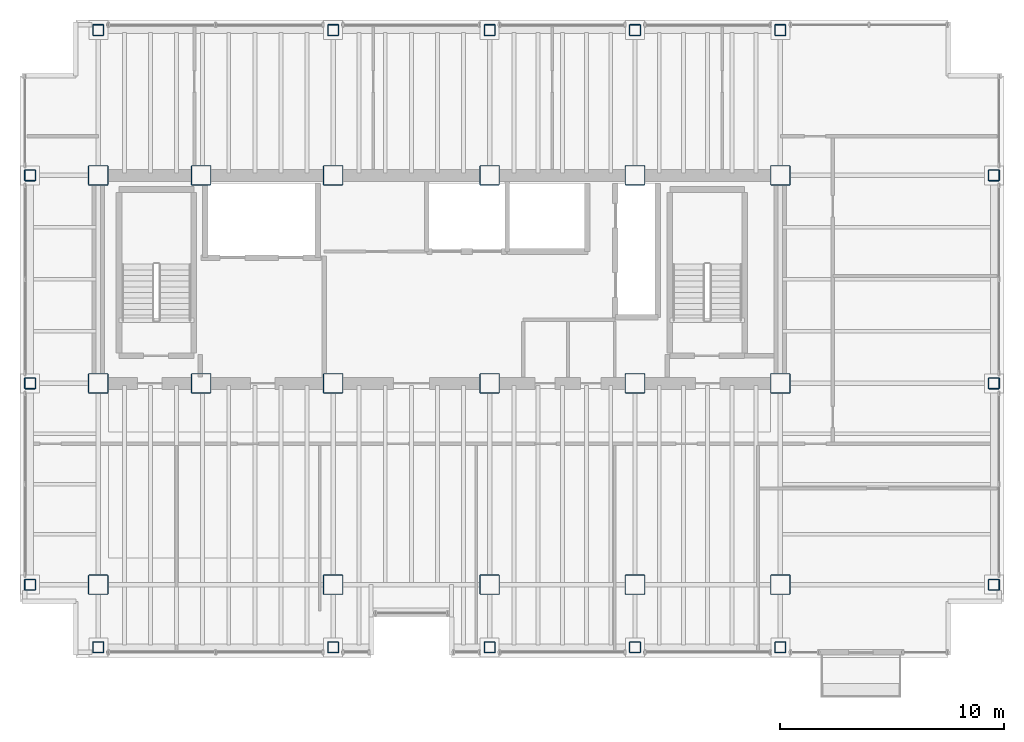
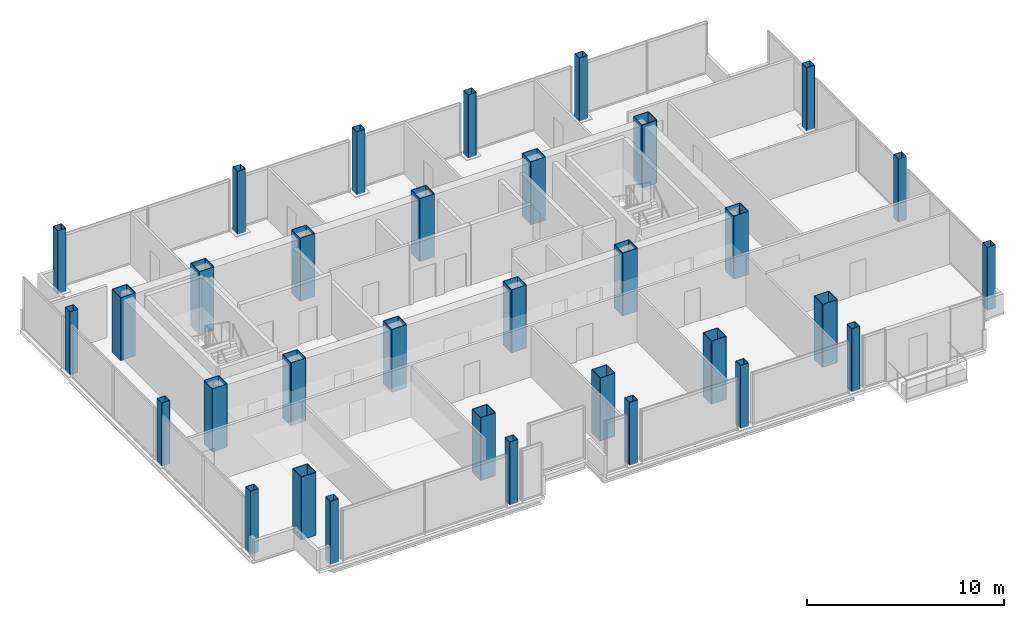
# One storey, part 1 of 16: 33 columns.
"""IFC4 building model written with IfcOpenShell, lengths in metres."""

from ifc_helpers import new_model, si_unit, direction, frame, origin, origin_2d, place, context, subcontext, project, spatial, hollow_rectangle, extrude, material, material_profile, profile_set, type_object, element, save


model = new_model("IFC4")

# Units and contexts
model_context = context("Model", 3, precision=1e-05, world=origin(), true_north=direction((0.0, 1.0)))
body_context = subcontext(model_context, "Body", "Model", "MODEL_VIEW")
ifc_project = project(units=[si_unit("LENGTHUNIT", "METRE"), si_unit("AREAUNIT", "SQUARE_METRE"), si_unit("VOLUMEUNIT", "CUBIC_METRE"), si_unit("PLANEANGLEUNIT", "RADIAN"), si_unit("MASSUNIT", "GRAM", prefix="KILO")], contexts=[model_context])

# Site, building, storey
site_placement = place(None, origin())
site = spatial("IfcSite", under=ifc_project, at=site_placement, CompositionType="ELEMENT")
building_placement = place(site_placement, origin())
building = spatial("IfcBuilding", under=site, at=building_placement, Name="Noeulbin Bourse Tower", CompositionType="ELEMENT")
storey_placement = place(building_placement, frame((0.0, 0.0, 177.300048828125)))
storey = spatial("IfcBuildingStorey", under=building, at=storey_placement, Name="L44", CompositionType="ELEMENT", Elevation=177.300048828125)

# Columns
ifc_material_1 = material(Name="Steel S355", Category="steel")
ifc_material_profile_1 = material_profile(ifc_material_1, hollow_rectangle(XDim=0.5, YDim=0.5, WallThickness=0.02392578125, InnerFilletRadius=0.011962890625, OuterFilletRadius=0.035888671875, at=origin_2d()), Name="BOX-500x500x24", Category="LoadBearing")
ifc_profile_set_1 = profile_set([ifc_material_profile_1], Name="Steel S355")
column_type_1 = type_object("IfcColumnType", Name="COL-PER-Z2", PredefinedType="COLUMN", material=ifc_profile_set_1)
for number, where, z_axis, x_axis, name in (
    (1, (10.449951171875, 20.0, 0.0), (0.0, 0.0, 1.0), (1.0, 0.0, 0.0), "Tower Perimeter Column COL-PER-Z2 01"),
    (2, (10.449951171875, 29.0, 0.0), (0.0, 0.0, 1.0), (1.0, 0.0, 0.0), "Tower Perimeter Column COL-PER-Z2 02"),
    (3, (10.449951171875, 38.300048828125, 0.0), (0.0, 0.0, 1.0), (1.0, 0.0, 0.0), "Tower Perimeter Column COL-PER-Z2 03"),
    (4, (13.5, 17.199951171875, 0.0), (0.0, 0.0, 1.0), (1.0, 0.0, 0.0), "Tower Perimeter Column COL-PER-Z2 04"),
    (5, (13.5, 44.800048828125, 0.0), (0.0, 0.0, 1.0), (1.0, 0.0, 0.0), "Tower Perimeter Column COL-PER-Z2 05"),
    (6, (24.0, 17.199951171875, 0.0), (0.0, 0.0, 1.0), (1.0, 0.0, 0.0), "Tower Perimeter Column COL-PER-Z2 06"),
    (7, (24.0, 44.800048828125, 0.0), (0.0, 0.0, 1.0), (1.0, 0.0, 0.0), "Tower Perimeter Column COL-PER-Z2 07"),
    (8, (31.0, 17.199951171875, 0.0), (0.0, 0.0, 1.0), (1.0, 0.0, 0.0), "Tower Perimeter Column COL-PER-Z2 08"),
    (9, (31.0, 44.800048828125, 0.0), (0.0, 0.0, 1.0), (1.0, 0.0, 0.0), "Tower Perimeter Column COL-PER-Z2 09"),
    (10, (37.5, 17.199951171875, 0.0), (0.0, 0.0, 1.0), (1.0, 0.0, 0.0), "Tower Perimeter Column COL-PER-Z2 10"),
    (11, (37.5, 44.800048828125, 0.0), (0.0, 0.0, 1.0), (1.0, 0.0, 0.0), "Tower Perimeter Column COL-PER-Z2 11"),
    (12, (44.0, 17.199951171875, 0.0), (0.0, 0.0, 1.0), (1.0, 0.0, 0.0), "Tower Perimeter Column COL-PER-Z2 12"),
    (13, (44.0, 44.800048828125, 0.0), (0.0, 0.0, 1.0), (1.0, 0.0, 0.0), "Tower Perimeter Column COL-PER-Z2 13"),
    (14, (53.550048828125, 20.0, 0.0), (0.0, 0.0, 1.0), (1.0, 0.0, 0.0), "Tower Perimeter Column COL-PER-Z2 14"),
    (15, (53.550048828125, 29.0, 0.0), (0.0, 0.0, 1.0), (1.0, 0.0, 0.0), "Tower Perimeter Column COL-PER-Z2 15"),
    (16, (53.550048828125, 38.300048828125, 0.0), (0.0, 0.0, 1.0), (1.0, 0.0, 0.0), "Tower Perimeter Column COL-PER-Z2 16"),
):
    element("IfcColumn", number, at=place(storey_placement, frame(where, z_axis=z_axis, x_axis=x_axis)), inside=storey, type_object=column_type_1, Name=name, PredefinedType="COLUMN", context=body_context, shape_type="SweptSolid", body=[
        extrude(hollow_rectangle(XDim=0.5, YDim=0.5, WallThickness=0.02392578125, InnerFilletRadius=0.011962890625, OuterFilletRadius=0.035888671875, at=origin_2d()), origin(), (0.0, 0.0, 1.0), 3.89990234375),
    ])
ifc_material_2 = material(Name="Steel S460", Category="steel")
ifc_material_profile_2 = material_profile(ifc_material_2, hollow_rectangle(XDim=0.89990234375, YDim=0.89990234375, WallThickness=0.034912109375, InnerFilletRadius=0.01708984375, OuterFilletRadius=0.052001953125, at=origin_2d()), Name="BOX-900x900x35", Category="LoadBearing")
ifc_profile_set_2 = profile_set([ifc_material_profile_2], Name="Steel S460")
column_type_2 = type_object("IfcColumnType", Name="COL-TRK-Z2", PredefinedType="COLUMN", material=ifc_profile_set_2)
for number, where, z_axis, x_axis, name in (
    (17, (13.5, 29.0, 0.0), (0.0, 0.0, 1.0), (1.0, 0.0, 0.0), "Tower Trunk Mega-Column COL-TRK-Z2 01"),
    (18, (13.5, 38.300048828125, 0.0), (0.0, 0.0, 1.0), (1.0, 0.0, 0.0), "Tower Trunk Mega-Column COL-TRK-Z2 02"),
    (19, (18.10009765625, 29.0, 0.0), (0.0, 0.0, 1.0), (1.0, 0.0, 0.0), "Tower Trunk Mega-Column COL-TRK-Z2 03"),
    (20, (18.10009765625, 38.300048828125, 0.0), (0.0, 0.0, 1.0), (1.0, 0.0, 0.0), "Tower Trunk Mega-Column COL-TRK-Z2 04"),
    (21, (24.0, 29.0, 0.0), (0.0, 0.0, 1.0), (1.0, 0.0, 0.0), "Tower Trunk Mega-Column COL-TRK-Z2 05"),
    (22, (24.0, 38.300048828125, 0.0), (0.0, 0.0, 1.0), (1.0, 0.0, 0.0), "Tower Trunk Mega-Column COL-TRK-Z2 06"),
    (23, (31.0, 29.0, 0.0), (0.0, 0.0, 1.0), (1.0, 0.0, 0.0), "Tower Trunk Mega-Column COL-TRK-Z2 07"),
    (24, (31.0, 38.300048828125, 0.0), (0.0, 0.0, 1.0), (1.0, 0.0, 0.0), "Tower Trunk Mega-Column COL-TRK-Z2 08"),
    (25, (37.5, 29.0, 0.0), (0.0, 0.0, 1.0), (1.0, 0.0, 0.0), "Tower Trunk Mega-Column COL-TRK-Z2 09"),
    (26, (37.5, 38.300048828125, 0.0), (0.0, 0.0, 1.0), (1.0, 0.0, 0.0), "Tower Trunk Mega-Column COL-TRK-Z2 10"),
    (27, (44.0, 29.0, 0.0), (0.0, 0.0, 1.0), (1.0, 0.0, 0.0), "Tower Trunk Mega-Column COL-TRK-Z2 11"),
    (28, (44.0, 38.300048828125, 0.0), (0.0, 0.0, 1.0), (1.0, 0.0, 0.0), "Tower Trunk Mega-Column COL-TRK-Z2 12"),
    (29, (13.5, 20.0, 0.0), (0.0, 0.0, 1.0), (1.0, 0.0, 0.0), "Tower Trunk Mega-Column COL-TRK-Z2 13"),
    (30, (24.0, 20.0, 0.0), (0.0, 0.0, 1.0), (1.0, 0.0, 0.0), "Tower Trunk Mega-Column COL-TRK-Z2 14"),
    (31, (31.0, 20.0, 0.0), (0.0, 0.0, 1.0), (1.0, 0.0, 0.0), "Tower Trunk Mega-Column COL-TRK-Z2 15"),
    (32, (37.5, 20.0, 0.0), (0.0, 0.0, 1.0), (1.0, 0.0, 0.0), "Tower Trunk Mega-Column COL-TRK-Z2 16"),
    (33, (44.0, 20.0, 0.0), (0.0, 0.0, 1.0), (1.0, 0.0, 0.0), "Tower Trunk Mega-Column COL-TRK-Z2 17"),
):
    element("IfcColumn", number, at=place(storey_placement, frame(where, z_axis=z_axis, x_axis=x_axis)), inside=storey, type_object=column_type_2, Name=name, PredefinedType="COLUMN", context=body_context, shape_type="SweptSolid", body=[
        extrude(hollow_rectangle(XDim=0.89990234375, YDim=0.89990234375, WallThickness=0.034912109375, InnerFilletRadius=0.01708984375, OuterFilletRadius=0.052001953125, at=origin_2d()), origin(), (0.0, 0.0, 1.0), 3.89990234375),
    ])

save(model, "model.ifc")
